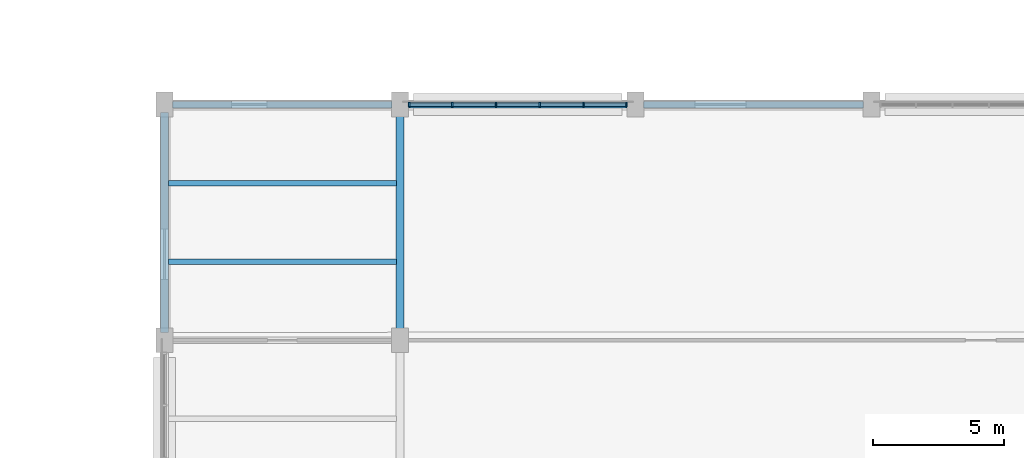
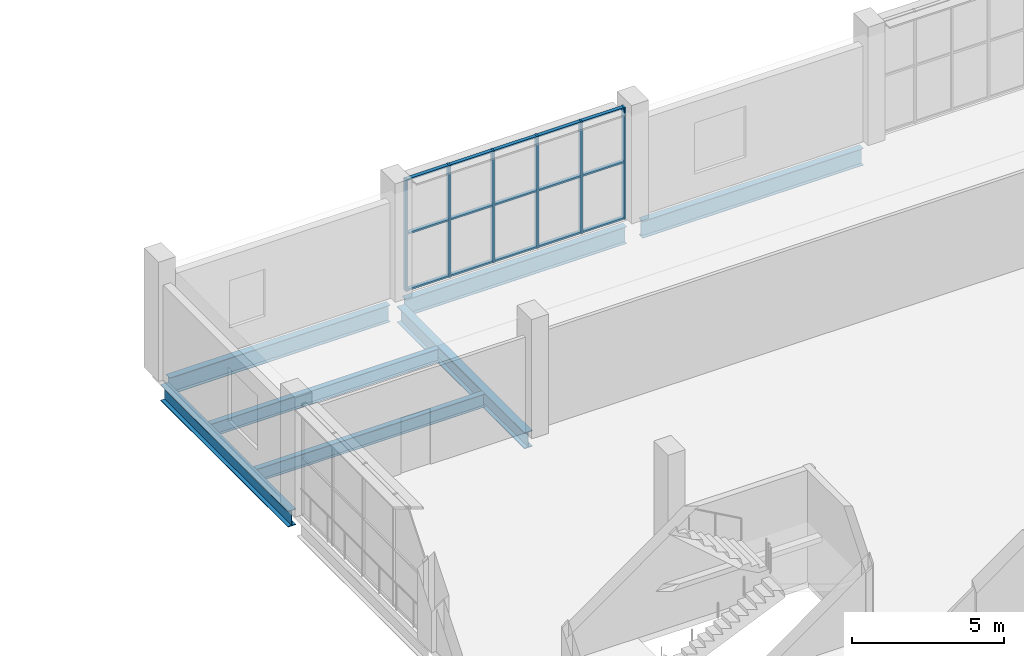
# One storey, part 4 of 179: 21 members, 7 beams, 1 element without a shape of its own.
"""IFC4 building model written with IfcOpenShell, lengths in metres."""

from ifc_helpers import new_model, si_unit, direction, frame, origin, origin_2d, place, context, subcontext, project, spatial, rectangle, i_section, extrude, material, material_profile, profile_set, type_object, element, aggregate, save


model = new_model("IFC4")

# Units and contexts
model_context = context("Model", 3, precision=1e-05, world=origin(), true_north=direction((0.0, 1.0)))
body_context = subcontext(model_context, "Body", "Model", "MODEL_VIEW")
ifc_project = project(units=[si_unit("LENGTHUNIT", "METRE"), si_unit("AREAUNIT", "SQUARE_METRE"), si_unit("VOLUMEUNIT", "CUBIC_METRE"), si_unit("PLANEANGLEUNIT", "RADIAN"), si_unit("MASSUNIT", "GRAM", prefix="KILO")], contexts=[model_context])

# Site, building, storey
site_placement = place(None, origin())
site = spatial("IfcSite", under=ifc_project, at=site_placement, CompositionType="ELEMENT")
building_placement = place(site_placement, origin())
building = spatial("IfcBuilding", under=site, at=building_placement, Name="Zevraka Park Crest Stadium", CompositionType="ELEMENT")
storey_placement = place(building_placement, frame((0.0, 0.0, 10.199951171875)))
storey = spatial("IfcBuildingStorey", under=building, at=storey_placement, Name="L02", CompositionType="ELEMENT", Elevation=10.199951171875)

# Beams
ifc_material_1 = material(Name="Steel S355", Category="steel")
ifc_material_profile_1 = material_profile(ifc_material_1, i_section(OverallWidth=0.253662109375, OverallDepth=0.68359375, WebThickness=0.012451171875, FlangeThickness=0.01904296875, at=origin_2d()), Name="UKB 686x254x140")
ifc_profile_set_1 = profile_set([ifc_material_profile_1], Name="Steel S355")
beam_type_1 = type_object("IfcBeamType", Name="BG05", PredefinedType="BEAM", material=ifc_profile_set_1)
for number, where, z_axis, x_axis, name in (
    (1, (9.300048828125, 27.0, -0.629638671875), (1.0, 0.0, 0.0), (0.0, 1.0, 0.0), "Wing Girder BG05 L02-23/D"),
    (2, (18.300048828125, 27.0, -0.629638671875), (1.0, 0.0, 0.0), (0.0, 1.0, 0.0), "Wing Girder BG05 L02-34/D"),
    (3, (27.300048828125, 27.0, -0.629638671875), (1.0, 0.0, 0.0), (0.0, 1.0, 0.0), "Wing Girder BG05 L02-45/D"),
):
    element("IfcBeam", number, at=place(storey_placement, frame(where, z_axis=z_axis, x_axis=x_axis)), inside=storey, type_object=beam_type_1, Name=name, PredefinedType="BEAM", context=body_context, shape_type="SweptSolid", body=[
        extrude(i_section(OverallWidth=0.253662109375, OverallDepth=0.68359375, WebThickness=0.012451171875, FlangeThickness=0.01904296875, at=origin_2d()), origin(), (0.0, 0.0, 1.0), 8.39990234375),
    ])
ifc_material_2 = material(Name="Steel S355", Category="steel")
ifc_material_profile_2 = material_profile(ifc_material_2, i_section(OverallWidth=0.300048828125, OverallDepth=0.64990234375, WebThickness=0.01611328125, FlangeThickness=0.031005859375, at=origin_2d()), Name="HEB 650")
ifc_profile_set_2 = profile_set([ifc_material_profile_2], Name="Steel S355")
beam_type_2 = type_object("IfcBeamType", Name="BG07", PredefinedType="BEAM", material=ifc_profile_set_2)
for number, where, z_axis, x_axis, name in (
    (4, (9.0, 18.300048828125, -0.613037109375), (0.0, 1.0, 0.0), (-1.0, 0.0, 0.0), "Wing Girder BG07 L02-2/CD"),
    (5, (18.0, 18.300048828125, -0.613037109375), (0.0, 1.0, 0.0), (-1.0, 0.0, 0.0), "Wing Girder BG07 L02-3/CD"),
):
    element("IfcBeam", number, at=place(storey_placement, frame(where, z_axis=z_axis, x_axis=x_axis)), inside=storey, type_object=beam_type_2, Name=name, PredefinedType="BEAM", context=body_context, shape_type="SweptSolid", body=[
        extrude(i_section(OverallWidth=0.300048828125, OverallDepth=0.64990234375, WebThickness=0.01611328125, FlangeThickness=0.031005859375, at=origin_2d()), origin(), (0.0, 0.0, 1.0), 8.39990234375),
    ])

# Curtain wall, members
ifc_material_3 = material(Name="Anodised architectural aluminium and laminated safety glass", Category="aluminium")
curtain_wall_type = type_object("IfcCurtainWallType", Name="CW29", PredefinedType="NOTDEFINED", material=ifc_material_3)
curtain_wall_placement = place(storey_placement, origin())
curtain_wall = element("IfcCurtainWall", 6, at=curtain_wall_placement, inside=storey, type_object=curtain_wall_type, Name="Wing Curtain Wall CW29 L02-SW-N-2", PredefinedType="NOTDEFINED")
ifc_material_4 = material(Name="Anodised architectural aluminium", Category="aluminium")
ifc_material_profile_3 = material_profile(ifc_material_4, rectangle(XDim=0.179931640625, YDim=0.06494140625, at=origin_2d()), Name="ALU MULLION 180x65")
ifc_profile_set_3 = profile_set([ifc_material_profile_3], Name="Anodised architectural aluminium")
member_type_1 = type_object("IfcMemberType", Name="CM02", PredefinedType="MULLION", material=ifc_profile_set_3)
member_1_placement = place(storey_placement, frame((18.347412109375, 27.0, 0.0), z_axis=(0.0, 0.0, 1.0), x_axis=(0.0, 1.0, 0.0)))
member_1 = element("IfcMember", 7, at=member_1_placement, type_object=member_type_1, Name="CW29 mullion 1", PredefinedType="MULLION", context=body_context, shape_type="SweptSolid", body=[
    extrude(rectangle(XDim=0.179931640625, YDim=0.06494140625, at=origin_2d()), origin(), (0.0, 0.0, 1.0), 4.5),
])
member_2_placement = place(storey_placement, frame((19.989013671875, 27.0, 0.0), z_axis=(0.0, 0.0, 1.0), x_axis=(0.0, 1.0, 0.0)))
member_2 = element("IfcMember", 8, at=member_2_placement, type_object=member_type_1, Name="CW29 mullion 2", PredefinedType="MULLION", context=body_context, shape_type="SweptSolid", body=[
    extrude(rectangle(XDim=0.179931640625, YDim=0.06494140625, at=origin_2d()), origin(), (0.0, 0.0, 1.0), 4.5),
])
member_3_placement = place(storey_placement, frame((21.6630859375, 27.0, 0.0), z_axis=(0.0, 0.0, 1.0), x_axis=(0.0, 1.0, 0.0)))
member_3 = element("IfcMember", 9, at=member_3_placement, type_object=member_type_1, Name="CW29 mullion 3", PredefinedType="MULLION", context=body_context, shape_type="SweptSolid", body=[
    extrude(rectangle(XDim=0.179931640625, YDim=0.06494140625, at=origin_2d()), origin(), (0.0, 0.0, 1.0), 4.5),
])
member_4_placement = place(storey_placement, frame((23.3369140625, 27.0, 0.0), z_axis=(0.0, 0.0, 1.0), x_axis=(0.0, 1.0, 0.0)))
member_4 = element("IfcMember", 10, at=member_4_placement, type_object=member_type_1, Name="CW29 mullion 4", PredefinedType="MULLION", context=body_context, shape_type="SweptSolid", body=[
    extrude(rectangle(XDim=0.179931640625, YDim=0.06494140625, at=origin_2d()), origin(), (0.0, 0.0, 1.0), 4.5),
])
member_5_placement = place(storey_placement, frame((25.010986328125, 27.0, 0.0), z_axis=(0.0, 0.0, 1.0), x_axis=(0.0, 1.0, 0.0)))
member_5 = element("IfcMember", 11, at=member_5_placement, type_object=member_type_1, Name="CW29 mullion 5", PredefinedType="MULLION", context=body_context, shape_type="SweptSolid", body=[
    extrude(rectangle(XDim=0.179931640625, YDim=0.06494140625, at=origin_2d()), origin(), (0.0, 0.0, 1.0), 4.5),
])
member_6_placement = place(storey_placement, frame((26.652587890625, 27.0, 0.0), z_axis=(0.0, 0.0, 1.0), x_axis=(0.0, 1.0, 0.0)))
member_6 = element("IfcMember", 12, at=member_6_placement, type_object=member_type_1, Name="CW29 mullion 6", PredefinedType="MULLION", context=body_context, shape_type="SweptSolid", body=[
    extrude(rectangle(XDim=0.179931640625, YDim=0.06494140625, at=origin_2d()), origin(), (0.0, 0.0, 1.0), 4.5),
])
ifc_material_5 = material(Name="Anodised architectural aluminium", Category="aluminium")
ifc_material_profile_4 = material_profile(ifc_material_5, rectangle(XDim=0.139892578125, YDim=0.06494140625, at=origin_2d()), Name="ALU TRANSOM 140x65")
ifc_profile_set_4 = profile_set([ifc_material_profile_4], Name="Anodised architectural aluminium")
member_type_2 = type_object("IfcMemberType", Name="CT02", PredefinedType="USERDEFINED", material=ifc_profile_set_4)
member_7_placement = place(storey_placement, frame((18.3798828125, 27.0, 0.032470703125), z_axis=(1.0, 0.0, 0.0), x_axis=(0.0, 1.0, 0.0)))
member_7 = element("IfcMember", 13, at=member_7_placement, type_object=member_type_2, Name="CW29 transom 1.1", ObjectType="TRANSOM", PredefinedType="USERDEFINED", context=body_context, shape_type="SweptSolid", body=[
    extrude(rectangle(XDim=0.139892578125, YDim=0.06494140625, at=origin_2d()), origin(), (0.0, 0.0, 1.0), 1.57666015625),
])
member_8_placement = place(storey_placement, frame((18.3798828125, 27.0, 2.300048828125), z_axis=(1.0, 0.0, 0.0), x_axis=(0.0, 1.0, 0.0)))
member_8 = element("IfcMember", 14, at=member_8_placement, type_object=member_type_2, Name="CW29 transom 1.2", ObjectType="TRANSOM", PredefinedType="USERDEFINED", context=body_context, shape_type="SweptSolid", body=[
    extrude(rectangle(XDim=0.139892578125, YDim=0.06494140625, at=origin_2d()), origin(), (0.0, 0.0, 1.0), 1.57666015625),
])
member_9_placement = place(storey_placement, frame((18.3798828125, 27.0, 4.467529296875), z_axis=(1.0, 0.0, 0.0), x_axis=(0.0, 1.0, 0.0)))
member_9 = element("IfcMember", 15, at=member_9_placement, type_object=member_type_2, Name="CW29 transom 1.3", ObjectType="TRANSOM", PredefinedType="USERDEFINED", context=body_context, shape_type="SweptSolid", body=[
    extrude(rectangle(XDim=0.139892578125, YDim=0.06494140625, at=origin_2d()), origin(), (0.0, 0.0, 1.0), 1.57666015625),
])
member_10_placement = place(storey_placement, frame((20.021484375, 27.0, 0.032470703125), z_axis=(1.0, 0.0, 0.0), x_axis=(0.0, 1.0, 0.0)))
member_10 = element("IfcMember", 16, at=member_10_placement, type_object=member_type_2, Name="CW29 transom 2.1", ObjectType="TRANSOM", PredefinedType="USERDEFINED", context=body_context, shape_type="SweptSolid", body=[
    extrude(rectangle(XDim=0.139892578125, YDim=0.06494140625, at=origin_2d()), origin(), (0.0, 0.0, 1.0), 1.609130859375),
])
member_11_placement = place(storey_placement, frame((20.021484375, 27.0, 2.300048828125), z_axis=(1.0, 0.0, 0.0), x_axis=(0.0, 1.0, 0.0)))
member_11 = element("IfcMember", 17, at=member_11_placement, type_object=member_type_2, Name="CW29 transom 2.2", ObjectType="TRANSOM", PredefinedType="USERDEFINED", context=body_context, shape_type="SweptSolid", body=[
    extrude(rectangle(XDim=0.139892578125, YDim=0.06494140625, at=origin_2d()), origin(), (0.0, 0.0, 1.0), 1.609130859375),
])
member_12_placement = place(storey_placement, frame((20.021484375, 27.0, 4.467529296875), z_axis=(1.0, 0.0, 0.0), x_axis=(0.0, 1.0, 0.0)))
member_12 = element("IfcMember", 18, at=member_12_placement, type_object=member_type_2, Name="CW29 transom 2.3", ObjectType="TRANSOM", PredefinedType="USERDEFINED", context=body_context, shape_type="SweptSolid", body=[
    extrude(rectangle(XDim=0.139892578125, YDim=0.06494140625, at=origin_2d()), origin(), (0.0, 0.0, 1.0), 1.609130859375),
])
member_13_placement = place(storey_placement, frame((21.695556640625, 27.0, 0.032470703125), z_axis=(1.0, 0.0, 0.0), x_axis=(0.0, 1.0, 0.0)))
member_13 = element("IfcMember", 19, at=member_13_placement, type_object=member_type_2, Name="CW29 transom 3.1", ObjectType="TRANSOM", PredefinedType="USERDEFINED", context=body_context, shape_type="SweptSolid", body=[
    extrude(rectangle(XDim=0.139892578125, YDim=0.06494140625, at=origin_2d()), origin(), (0.0, 0.0, 1.0), 1.60888671875),
])
member_14_placement = place(storey_placement, frame((21.695556640625, 27.0, 2.300048828125), z_axis=(1.0, 0.0, 0.0), x_axis=(0.0, 1.0, 0.0)))
member_14 = element("IfcMember", 20, at=member_14_placement, type_object=member_type_2, Name="CW29 transom 3.2", ObjectType="TRANSOM", PredefinedType="USERDEFINED", context=body_context, shape_type="SweptSolid", body=[
    extrude(rectangle(XDim=0.139892578125, YDim=0.06494140625, at=origin_2d()), origin(), (0.0, 0.0, 1.0), 1.60888671875),
])
member_15_placement = place(storey_placement, frame((21.695556640625, 27.0, 4.467529296875), z_axis=(1.0, 0.0, 0.0), x_axis=(0.0, 1.0, 0.0)))
member_15 = element("IfcMember", 21, at=member_15_placement, type_object=member_type_2, Name="CW29 transom 3.3", ObjectType="TRANSOM", PredefinedType="USERDEFINED", context=body_context, shape_type="SweptSolid", body=[
    extrude(rectangle(XDim=0.139892578125, YDim=0.06494140625, at=origin_2d()), origin(), (0.0, 0.0, 1.0), 1.60888671875),
])
member_16_placement = place(storey_placement, frame((23.369384765625, 27.0, 0.032470703125), z_axis=(1.0, 0.0, 0.0), x_axis=(0.0, 1.0, 0.0)))
member_16 = element("IfcMember", 22, at=member_16_placement, type_object=member_type_2, Name="CW29 transom 4.1", ObjectType="TRANSOM", PredefinedType="USERDEFINED", context=body_context, shape_type="SweptSolid", body=[
    extrude(rectangle(XDim=0.139892578125, YDim=0.06494140625, at=origin_2d()), origin(), (0.0, 0.0, 1.0), 1.609130859375),
])
member_17_placement = place(storey_placement, frame((23.369384765625, 27.0, 2.300048828125), z_axis=(1.0, 0.0, 0.0), x_axis=(0.0, 1.0, 0.0)))
member_17 = element("IfcMember", 23, at=member_17_placement, type_object=member_type_2, Name="CW29 transom 4.2", ObjectType="TRANSOM", PredefinedType="USERDEFINED", context=body_context, shape_type="SweptSolid", body=[
    extrude(rectangle(XDim=0.139892578125, YDim=0.06494140625, at=origin_2d()), origin(), (0.0, 0.0, 1.0), 1.609130859375),
])
member_18_placement = place(storey_placement, frame((23.369384765625, 27.0, 4.467529296875), z_axis=(1.0, 0.0, 0.0), x_axis=(0.0, 1.0, 0.0)))
member_18 = element("IfcMember", 24, at=member_18_placement, type_object=member_type_2, Name="CW29 transom 4.3", ObjectType="TRANSOM", PredefinedType="USERDEFINED", context=body_context, shape_type="SweptSolid", body=[
    extrude(rectangle(XDim=0.139892578125, YDim=0.06494140625, at=origin_2d()), origin(), (0.0, 0.0, 1.0), 1.609130859375),
])
member_19_placement = place(storey_placement, frame((25.04345703125, 27.0, 0.032470703125), z_axis=(1.0, 0.0, 0.0), x_axis=(0.0, 1.0, 0.0)))
member_19 = element("IfcMember", 25, at=member_19_placement, type_object=member_type_2, Name="CW29 transom 5.1", ObjectType="TRANSOM", PredefinedType="USERDEFINED", context=body_context, shape_type="SweptSolid", body=[
    extrude(rectangle(XDim=0.139892578125, YDim=0.06494140625, at=origin_2d()), origin(), (0.0, 0.0, 1.0), 1.57666015625),
])
member_20_placement = place(storey_placement, frame((25.04345703125, 27.0, 2.300048828125), z_axis=(1.0, 0.0, 0.0), x_axis=(0.0, 1.0, 0.0)))
member_20 = element("IfcMember", 26, at=member_20_placement, type_object=member_type_2, Name="CW29 transom 5.2", ObjectType="TRANSOM", PredefinedType="USERDEFINED", context=body_context, shape_type="SweptSolid", body=[
    extrude(rectangle(XDim=0.139892578125, YDim=0.06494140625, at=origin_2d()), origin(), (0.0, 0.0, 1.0), 1.57666015625),
])
member_21_placement = place(storey_placement, frame((25.04345703125, 27.0, 4.467529296875), z_axis=(1.0, 0.0, 0.0), x_axis=(0.0, 1.0, 0.0)))
member_21 = element("IfcMember", 27, at=member_21_placement, type_object=member_type_2, Name="CW29 transom 5.3", ObjectType="TRANSOM", PredefinedType="USERDEFINED", context=body_context, shape_type="SweptSolid", body=[
    extrude(rectangle(XDim=0.139892578125, YDim=0.06494140625, at=origin_2d()), origin(), (0.0, 0.0, 1.0), 1.57666015625),
])
aggregate(curtain_wall, [member_1, member_2, member_3, member_4, member_5, member_6, member_7, member_8, member_9, member_10, member_11, member_12, member_13, member_14, member_15, member_16, member_17, member_18, member_19, member_20, member_21])

# Beams
ifc_material_6 = material(Name="Steel S355", Category="steel")
ifc_material_profile_5 = material_profile(ifc_material_6, i_section(OverallWidth=0.209228515625, OverallDepth=0.533203125, WebThickness=0.010009765625, FlangeThickness=0.015625, at=origin_2d()), Name="UKB 533x210x92")
ifc_profile_set_5 = profile_set([ifc_material_profile_5], Name="Steel S355")
beam_type_3 = type_object("IfcBeamType", Name="SJ05", PredefinedType="JOIST", material=ifc_profile_set_5)
for number, where, z_axis, x_axis, name in (
    (28, (9.14501953125, 21.0, -0.556396484375), (1.0, 0.0, 0.0), (0.0, 1.0, 0.0), "Wing Joist SJ05 L02-2/C-1"),
    (29, (9.14501953125, 24.0, -0.556396484375), (1.0, 0.0, 0.0), (0.0, 1.0, 0.0), "Wing Joist SJ05 L02-2/C-2"),
):
    element("IfcBeam", number, at=place(storey_placement, frame(where, z_axis=z_axis, x_axis=x_axis)), inside=storey, type_object=beam_type_3, Name=name, PredefinedType="JOIST", context=body_context, shape_type="SweptSolid", body=[
        extrude(i_section(OverallWidth=0.209228515625, OverallDepth=0.533203125, WebThickness=0.010009765625, FlangeThickness=0.015625, at=origin_2d()), origin(), (0.0, 0.0, 1.0), 8.7099609375),
    ])

save(model, "model.ifc")
